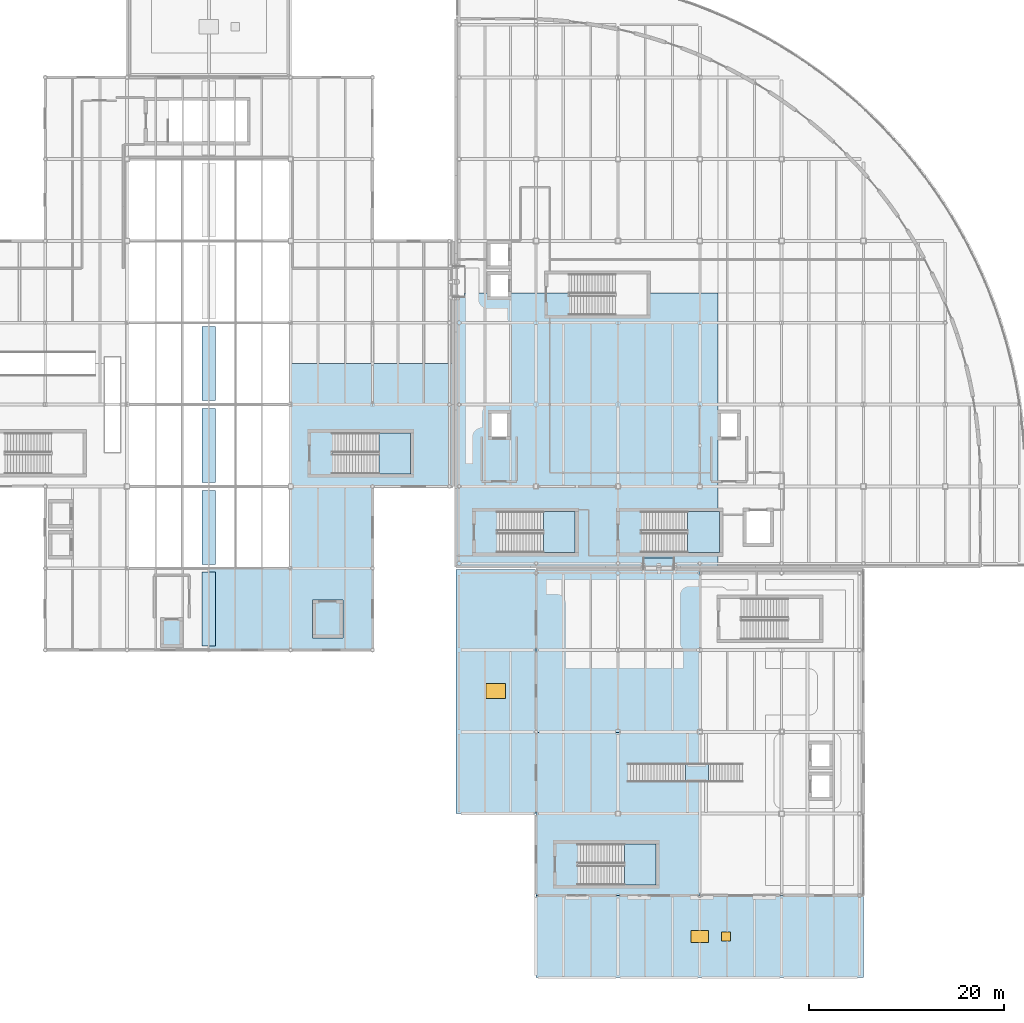
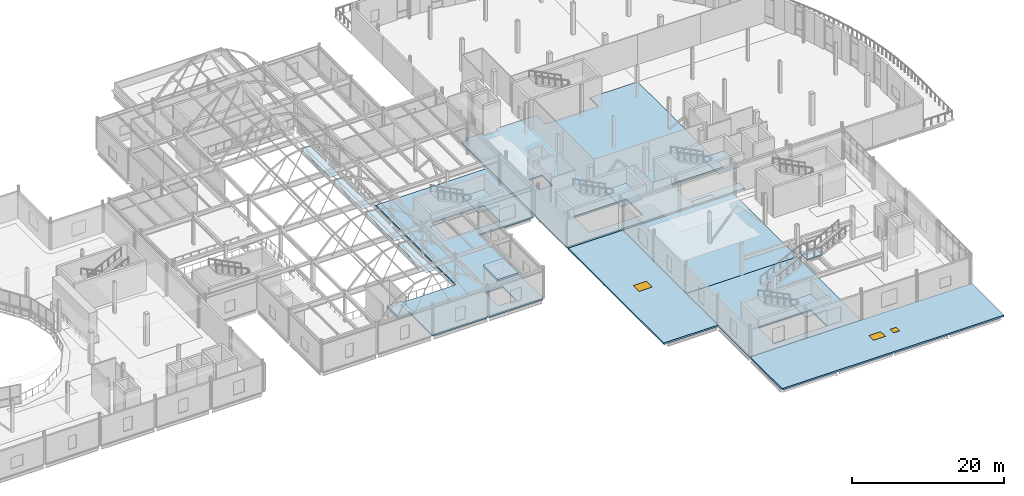
# One storey, part 58 of 103: 14 slabs, 4 plates, 2 windows, 1 door, 3 openings, 5 elements without a shape of their own.
"""IFC4 building model written with IfcOpenShell, lengths in metres."""

from ifc_helpers import new_model, si_unit, direction, frame, origin, origin_2d, place, context, subcontext, project, spatial, polyline, rectangle, outline, extrude, material, layer, layer_set, type_object, element, fill, aggregate, save


model = new_model("IFC4")

# Units and contexts
model_context = context("Model", 3, precision=1e-05, world=origin(), true_north=direction((0.0, 1.0)))
body_context = subcontext(model_context, "Body", "Model", "MODEL_VIEW")
ifc_project = project(units=[si_unit("LENGTHUNIT", "METRE"), si_unit("AREAUNIT", "SQUARE_METRE"), si_unit("VOLUMEUNIT", "CUBIC_METRE"), si_unit("PLANEANGLEUNIT", "RADIAN"), si_unit("MASSUNIT", "GRAM", prefix="KILO"), si_unit("THERMODYNAMICTEMPERATUREUNIT", "KELVIN")], contexts=[model_context])

# Site, building, storey
site_placement = place(None, origin())
site = spatial("IfcSite", under=ifc_project, at=site_placement, CompositionType="ELEMENT")
building_placement = place(site_placement, origin())
building = spatial("IfcBuilding", under=site, at=building_placement, Name="Lustrewick Department Store", CompositionType="ELEMENT")
storey_placement = place(building_placement, frame((0.0, 0.0, 16.5)))
storey = spatial("IfcBuildingStorey", under=building, at=storey_placement, Name="L04", CompositionType="ELEMENT", Elevation=16.5)

# Slabs
ifc_material_1 = material(Name="Concrete C30", Category="concrete")
ifc_layer_1 = layer(ifc_material_1, 0.235107421875, Name="Concrete C30")
ifc_layer_set_1 = layer_set([ifc_layer_1], Name="Concrete C30")
slab_type_1 = type_object("IfcSlabType", Name="FS04", PredefinedType="FLOOR", material=ifc_layer_set_1)
slab_1_placement = place(storey_placement, frame((0.0, 0.0, -0.235107421875)))
element("IfcSlab", 1, at=slab_1_placement, inside=storey, type_object=slab_type_1, Name="L04 V2 Floor Slab FS04", PredefinedType="FLOOR", context=body_context, shape_type="SweptSolid", body=[
    extrude(outline(polyline([(84.0, 42.0), (100.800048828125, 42.0), (100.800048828125, 58.800048828125), (109.050048828125, 58.800048828125), (109.050048828125, 71.39990234375), (92.39990234375, 71.39990234375), (92.39990234375, 50.39990234375), (84.0, 50.39990234375), (84.0, 42.0)]), holes=[polyline([(96.719970703125, 60.10009765625), (96.719970703125, 64.300048828125), (104.699951171875, 64.300048828125), (104.699951171875, 60.10009765625), (96.719970703125, 60.10009765625)]), polyline([(94.85009765625, 43.449951171875), (94.85009765625, 46.949951171875), (97.550048828125, 46.949951171875), (97.550048828125, 43.449951171875), (94.85009765625, 43.449951171875)])]), origin(), (0.0, 0.0, 1.0), 0.235107421875),
])
slab_2_placement = place(storey_placement, frame((0.0, 0.0, -0.235107421875)))
element("IfcSlab", 2, at=slab_2_placement, inside=storey, type_object=slab_type_1, Name="L04 V3 Floor Slab FS04", PredefinedType="FLOOR", context=body_context, shape_type="SweptSolid", body=[
    extrude(outline(polyline([(117.60009765625, 16.800048828125), (134.39990234375, 16.800048828125), (134.39990234375, 33.52490234375), (117.60009765625, 33.52490234375), (117.60009765625, 16.800048828125)]), holes=[polyline([(121.919921875, 17.89990234375), (121.919921875, 22.10009765625), (129.89990234375, 22.10009765625), (129.89990234375, 17.89990234375), (121.919921875, 17.89990234375)])]), origin(), (0.0, 0.0, 1.0), 0.235107421875),
])
slab_3_placement = place(storey_placement, frame((0.0, 0.0, -0.235107421875)))
element("IfcSlab", 3, at=slab_3_placement, inside=storey, type_object=slab_type_1, Name="L04 V3 Floor Slab FS04", PredefinedType="FLOOR", context=body_context, shape_type="SweptSolid", body=[
    extrude(outline(polyline([(117.60009765625, 50.25), (117.60009765625, 33.52490234375), (134.39990234375, 33.52490234375), (134.39990234375, 50.25), (117.60009765625, 50.25)])), origin(), (0.0, 0.0, 1.0), 0.235107421875),
])
slab_4_placement = place(storey_placement, frame((0.0, 0.0, -0.235107421875)))
element("IfcSlab", 4, at=slab_4_placement, inside=storey, type_object=slab_type_1, Name="L04 V4 Floor Slab FS04", PredefinedType="FLOOR", context=body_context, shape_type="SweptSolid", body=[
    extrude(outline(polyline([(109.35009765625, 50.550048828125), (128.594970703125, 50.550048828125), (128.594970703125, 51.43505859375), (131.804931640625, 51.43505859375), (131.804931640625, 50.550048828125), (136.27490234375, 50.550048828125), (136.27490234375, 52.0), (128.419921875, 52.0), (128.419921875, 56.199951171875), (136.27490234375, 56.199951171875), (136.27490234375, 78.675048828125), (129.0, 78.675048828125), (129.0, 76.39990234375), (121.02001953125, 76.39990234375), (121.02001953125, 78.675048828125), (114.85009765625, 78.675048828125), (114.85009765625, 78.14990234375), (112.75, 78.14990234375), (112.75, 78.675048828125), (110.235107421875, 78.675048828125), (110.235107421875, 78.195068359375), (109.35009765625, 78.195068359375), (109.35009765625, 50.550048828125)]), holes=[polyline([(113.6201171875, 52.0), (113.6201171875, 56.199951171875), (121.60009765625, 56.199951171875), (121.60009765625, 52.0), (113.6201171875, 52.0)]), polyline([(112.85009765625, 63.75), (112.85009765625, 66.449951171875), (114.75, 66.449951171875), (114.75, 63.75), (112.85009765625, 63.75)])]), origin(), (0.0, 0.0, 1.0), 0.235107421875),
])
ifc_layer_2 = layer(ifc_material_1, 0.215087890625, Name="Concrete C30")
ifc_layer_set_2 = layer_set([ifc_layer_2], Name="Concrete C30")
slab_type_2 = type_object("IfcSlabType", Name="FS10", PredefinedType="FLOOR", material=ifc_layer_set_2)
slab_5_placement = place(storey_placement, frame((0.0, 0.0, -0.215087890625)))
element("IfcSlab", 5, at=slab_5_placement, inside=storey, type_object=slab_type_2, Name="L04 Skybridge SB34 Deck Slab", PredefinedType="FLOOR", context=body_context, shape_type="SweptSolid", body=[
    extrude(outline(polyline([(131.800048828125, 50.554931640625), (131.800048828125, 51.429931640625), (128.60009765625, 51.429931640625), (128.60009765625, 50.554931640625), (131.800048828125, 50.554931640625)])), origin(), (0.0, 0.0, 1.0), 0.215087890625),
])

# Stair, slab
stair_type_1 = type_object("IfcStairType", Name="ST-H51", PredefinedType="HALF_TURN_STAIR", material=ifc_material_1)
stair_1_placement = place(storey_placement, origin())
stair_1 = element("IfcStair", 6, at=stair_1_placement, inside=storey, type_object=stair_type_1, Name="L04 Smoke-Proof Exit Stair ST05", PredefinedType="HALF_TURN_STAIR")
ifc_layer_3 = layer(ifc_material_1, 0.199951171875, Name="Concrete C30")
ifc_layer_set_3 = layer_set([ifc_layer_3], Name="Concrete C30")
slab_type_3 = type_object("IfcSlabType", Name="LS01", PredefinedType="LANDING", material=ifc_layer_set_3)
slab_6_placement = place(storey_placement, frame((0.0, 0.0, 2.35009765625)))
slab_6 = element("IfcSlab", 7, at=slab_6_placement, type_object=slab_type_3, Name="ST-H51 landing 1", PredefinedType="LANDING", context=body_context, shape_type="SweptSolid", body=[
    extrude(outline(polyline([(101.449951171875, 60.10009765625), (104.699951171875, 60.10009765625), (104.699951171875, 64.300048828125), (101.449951171875, 64.300048828125), (101.449951171875, 60.10009765625)])), origin(), (0.0, 0.0, 1.0), 0.199951171875),
])
aggregate(stair_1, [slab_6])

stair_2_placement = place(storey_placement, origin())
stair_2 = element("IfcStair", 8, at=stair_2_placement, inside=storey, type_object=stair_type_1, Name="L04 Smoke-Proof Exit Stair ST07", PredefinedType="HALF_TURN_STAIR")
slab_7_placement = place(storey_placement, frame((0.0, 0.0, 2.35009765625)))
slab_7 = element("IfcSlab", 9, at=slab_7_placement, type_object=slab_type_3, Name="ST-H51 landing 1", PredefinedType="LANDING", context=body_context, shape_type="SweptSolid", body=[
    extrude(outline(polyline([(126.64990234375, 17.89990234375), (129.89990234375, 17.89990234375), (129.89990234375, 22.10009765625), (126.64990234375, 22.10009765625), (126.64990234375, 17.89990234375)])), origin(), (0.0, 0.0, 1.0), 0.199951171875),
])
aggregate(stair_2, [slab_7])

stair_3_placement = place(storey_placement, origin())
stair_3 = element("IfcStair", 10, at=stair_3_placement, inside=storey, type_object=stair_type_1, Name="L04 Smoke-Proof Exit Stair ST09", PredefinedType="HALF_TURN_STAIR")
slab_8_placement = place(storey_placement, frame((0.0, 0.0, 2.35009765625)))
slab_8 = element("IfcSlab", 11, at=slab_8_placement, type_object=slab_type_3, Name="ST-H51 landing 1", PredefinedType="LANDING", context=body_context, shape_type="SweptSolid", body=[
    extrude(outline(polyline([(118.35009765625, 52.0), (121.60009765625, 52.0), (121.60009765625, 56.199951171875), (118.35009765625, 56.199951171875), (118.35009765625, 52.0)])), origin(), (0.0, 0.0, 1.0), 0.199951171875),
])
aggregate(stair_3, [slab_8])

stair_4_placement = place(storey_placement, origin())
stair_4 = element("IfcStair", 12, at=stair_4_placement, inside=storey, type_object=stair_type_1, Name="L04 Smoke-Proof Exit Stair ST11", PredefinedType="HALF_TURN_STAIR")
slab_9_placement = place(storey_placement, frame((0.0, 0.0, 2.35009765625)))
slab_9 = element("IfcSlab", 13, at=slab_9_placement, type_object=slab_type_3, Name="ST-H51 landing 1", PredefinedType="LANDING", context=body_context, shape_type="SweptSolid", body=[
    extrude(outline(polyline([(133.14990234375, 52.0), (136.39990234375, 52.0), (136.39990234375, 56.199951171875), (133.14990234375, 56.199951171875), (133.14990234375, 52.0)])), origin(), (0.0, 0.0, 1.0), 0.199951171875),
])
aggregate(stair_4, [slab_9])

ifc_material_2 = material(Name="Structural steel S355 (Q355B)", Category="steel")
stair_type_2 = type_object("IfcStairType", Name="AST04", PredefinedType="STRAIGHT_RUN_STAIR", material=ifc_material_2)
stair_5_placement = place(storey_placement, origin())
stair_5 = element("IfcStair", 14, at=stair_5_placement, inside=storey, type_object=stair_type_2, Name="L04 Architectural Feature Stair AST04", PredefinedType="STRAIGHT_RUN_STAIR")
slab_10_placement = place(storey_placement, frame((0.0, 0.0, 2.949951171875)))
slab_10 = element("IfcSlab", 15, at=slab_10_placement, type_object=slab_type_3, Name="AST04 landing 1", PredefinedType="LANDING", context=body_context, shape_type="SweptSolid", body=[
    extrude(outline(polyline([(135.27001953125, 28.449951171875), (135.27001953125, 30.35009765625), (132.929931640625, 30.35009765625), (132.929931640625, 28.449951171875), (135.27001953125, 28.449951171875)])), origin(), (0.0, 0.0, 1.0), 0.199951171875),
])
aggregate(stair_5, [slab_10])

# Plates
ifc_material_3 = material(Name="Low-E laminated safety glass", Category="glass")
ifc_layer_4 = layer(ifc_material_3, 0.02197265625, Name="Low-E laminated safety glass")
ifc_layer_set_4 = layer_set([ifc_layer_4], Name="Low-E laminated safety glass")
plate_type = type_object("IfcPlateType", Name="RP01", PredefinedType="SHEET", material=ifc_layer_set_4)
for number, where, z_axis, x_axis, name in (
    (16, (84.0, 46.199951171875, 9.89892578125), (0.0, 0.0, 1.0), (1.0, 0.0, 0.0), "L04 Verriere Crown Glazing Plate 1"),
    (17, (84.0, 54.60009765625, 9.89892578125), (0.0, 0.0, 1.0), (1.0, 0.0, 0.0), "L04 Verriere Crown Glazing Plate 2"),
    (18, (84.0, 63.0, 9.89892578125), (0.0, 0.0, 1.0), (1.0, 0.0, 0.0), "L04 Verriere Crown Glazing Plate 3"),
    (19, (84.0, 71.39990234375, 9.89892578125), (0.0, 0.0, 1.0), (1.0, 0.0, 0.0), "L04 Verriere Crown Glazing Plate 4"),
):
    element("IfcPlate", number, at=place(storey_placement, frame(where, z_axis=z_axis, x_axis=x_axis)), inside=storey, type_object=plate_type, Name=name, PredefinedType="SHEET", context=body_context, shape_type="SweptSolid", body=[
        extrude(rectangle(XDim=1.39990234375, YDim=7.60009765625, at=origin_2d()), origin(), (0.0, 0.0, 1.0), 0.02197265625),
    ])

# Slab, openings, door, window
ifc_material_4 = material(Name="Concrete C35", Category="concrete")
ifc_layer_5 = layer(ifc_material_4, 0.248046875, Name="Concrete C35")
ifc_layer_set_5 = layer_set([ifc_layer_5], Name="Concrete C35")
slab_type_4 = type_object("IfcSlabType", Name="RS01", PredefinedType="ROOF", material=ifc_layer_set_5)
slab_11_placement = place(storey_placement, frame((0.0, 0.0, -0.248046875)))
slab_11 = element("IfcSlab", 20, at=slab_11_placement, inside=storey, type_object=slab_type_4, Name="L04 Flat Roof Slab V3-SW-L03", PredefinedType="ROOF", context=body_context, shape_type="SweptSolid", body=[
    extrude(outline(polyline([(151.199951171875, 8.39990234375), (151.199951171875, 16.800048828125), (117.60009765625, 16.800048828125), (117.60009765625, 8.39990234375), (151.199951171875, 8.39990234375)])), origin(), (0.0, 0.0, 1.0), 0.248046875),
])
opening_1_placement = place(slab_11_placement, frame((134.39990234375, 12.60009765625, -0.010009765625)))
opening_1 = element("IfcOpeningElement", 21, at=opening_1_placement, cuts=slab_11, Name="Opening SK04", PredefinedType="OPENING", context=body_context, shape_type="SweptSolid", body=[
    extrude(rectangle(XDim=1.800048828125, YDim=1.199951171875, at=origin_2d()), origin(), (0.0, 0.0, 1.0), 0.26806640625),
])
opening_2_placement = place(slab_11_placement, frame((137.10009765625, 12.60009765625, -0.010009765625)))
opening_2 = element("IfcOpeningElement", 22, at=opening_2_placement, cuts=slab_11, Name="Opening D-HT04", PredefinedType="OPENING", context=body_context, shape_type="SweptSolid", body=[
    extrude(rectangle(XDim=0.89990234375, YDim=0.89990234375, at=origin_2d()), origin(), (0.0, 0.0, 1.0), 0.26806640625),
])
ifc_material_5 = material(Name="Insulated aluminium roof access trapdoor", Category="aluminium")
door_type = type_object("IfcDoorType", Name="DT-14", OperationType="NOTDEFINED", PredefinedType="TRAPDOOR", material=ifc_material_5)
door_placement = place(opening_2_placement, frame((0.0, 0.0, 0.2080078125)))
door = element("IfcDoor", 23, at=door_placement, inside=storey, type_object=door_type, Name="L04 Roof Access Trapdoor D-HT04", OperationType="SINGLE_SWING_LEFT", OverallHeight=0.89990234375, OverallWidth=0.89990234375, PredefinedType="TRAPDOOR", context=body_context, shape_type="SweptSolid", body=[
    extrude(rectangle(XDim=0.89990234375, YDim=0.89990234375, at=origin_2d()), origin(), (0.0, 0.0, 1.0), 0.050048828125),
])
fill(opening_2, door)
ifc_material_6 = material(Name="Thermally broken Low-E triple-glazed skylight", Category="glass")
window_type_1 = type_object("IfcWindowType", Name="SK04", PartitioningType="SINGLE_PANEL", PredefinedType="SKYLIGHT", material=ifc_material_6)
window_1_placement = place(opening_1_placement, frame((0.0, 0.0, 0.2080078125)))
window_1 = element("IfcWindow", 24, at=window_1_placement, inside=storey, type_object=window_type_1, Name="L04 Roof Skylight SK04", OverallHeight=1.199951171875, OverallWidth=1.800048828125, PartitioningType="SINGLE_PANEL", PredefinedType="SKYLIGHT", context=body_context, shape_type="SweptSolid", body=[
    extrude(rectangle(XDim=1.800048828125, YDim=1.199951171875, at=origin_2d()), origin(), (0.0, 0.0, 1.0), 0.050048828125),
])
fill(opening_1, window_1)

# Slab, opening, window
slab_12_placement = place(storey_placement, frame((0.0, 0.0, -0.248046875)))
slab_12 = element("IfcSlab", 25, at=slab_12_placement, inside=storey, type_object=slab_type_4, Name="L04 Flat Roof Slab V3-SW-L03", PredefinedType="ROOF", context=body_context, shape_type="SweptSolid", body=[
    extrude(outline(polyline([(117.60009765625, 25.199951171875), (117.60009765625, 50.25), (109.35009765625, 50.25), (109.35009765625, 25.199951171875), (117.60009765625, 25.199951171875)])), origin(), (0.0, 0.0, 1.0), 0.248046875),
])
opening_3_placement = place(slab_12_placement, frame((113.47509765625, 37.800048828125, -0.010009765625)))
opening_3 = element("IfcOpeningElement", 26, at=opening_3_placement, cuts=slab_12, Name="Opening SK05", PredefinedType="OPENING", context=body_context, shape_type="SweptSolid", body=[
    extrude(rectangle(XDim=2.0, YDim=1.5, at=origin_2d()), origin(), (0.0, 0.0, 1.0), 0.26806640625),
])
window_type_2 = type_object("IfcWindowType", Name="SK05", PartitioningType="SINGLE_PANEL", PredefinedType="SKYLIGHT", material=ifc_material_6)
window_2_placement = place(opening_3_placement, frame((0.0, 0.0, 0.2080078125)))
window_2 = element("IfcWindow", 27, at=window_2_placement, inside=storey, type_object=window_type_2, Name="L04 Roof Skylight SK05", OverallHeight=1.5, OverallWidth=2.0, PartitioningType="SINGLE_PANEL", PredefinedType="SKYLIGHT", context=body_context, shape_type="SweptSolid", body=[
    extrude(rectangle(XDim=2.0, YDim=1.5, at=origin_2d()), origin(), (0.0, 0.0, 1.0), 0.050048828125),
])
fill(opening_3, window_2)

# Slabs
ifc_layer_6 = layer(ifc_material_4, 0.26806640625, Name="Concrete C35")
ifc_layer_set_6 = layer_set([ifc_layer_6], Name="Concrete C35")
slab_type_5 = type_object("IfcSlabType", Name="RS02", PredefinedType="ROOF", material=ifc_layer_set_6)
slab_13_placement = place(storey_placement, frame((0.0, 0.0, 4.094970703125)))
element("IfcSlab", 28, at=slab_13_placement, inside=storey, type_object=slab_type_5, Name="L04 Lift FFL-02 Overrun Cap Slab", PredefinedType="ROOF", context=body_context, shape_type="SweptSolid", body=[
    extrude(outline(polyline([(81.360107421875, 42.239990234375), (81.360107421875, 45.360107421875), (79.0400390625, 45.360107421875), (79.0400390625, 42.239990234375), (81.360107421875, 42.239990234375)])), origin(), (0.0, 0.0, 1.0), 0.26806640625),
])
slab_14_placement = place(storey_placement, frame((0.0, 0.0, 4.094970703125)))
element("IfcSlab", 29, at=slab_14_placement, inside=storey, type_object=slab_type_5, Name="L04 Lift GL-02 Overrun Cap Slab", PredefinedType="ROOF", context=body_context, shape_type="SweptSolid", body=[
    extrude(outline(polyline([(97.760009765625, 43.239990234375), (97.760009765625, 47.159912109375), (94.639892578125, 47.159912109375), (94.639892578125, 43.239990234375), (97.760009765625, 43.239990234375)])), origin(), (0.0, 0.0, 1.0), 0.26806640625),
])

save(model, "model.ifc")
